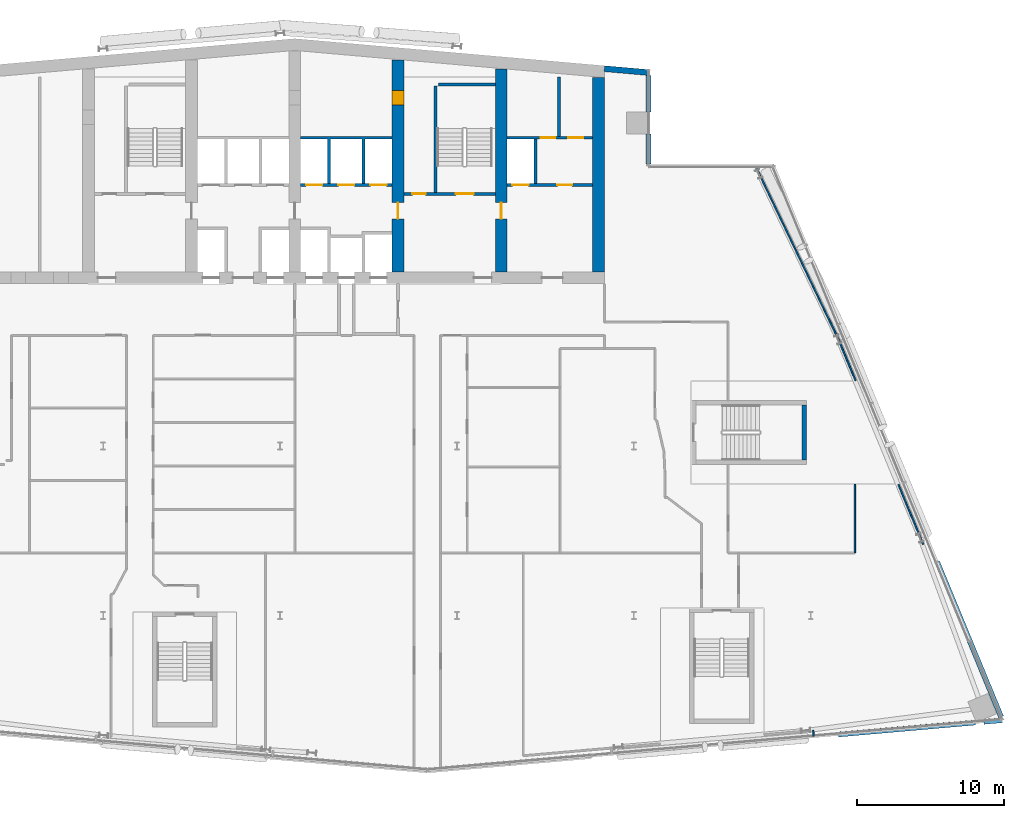
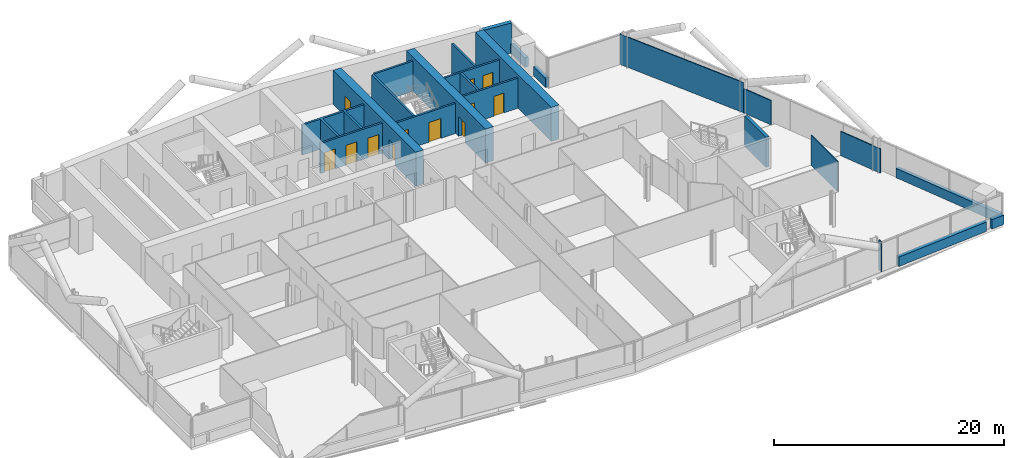
# One storey, part 19 of 26: 24 walls, 12 doors, 12 openings.
"""IFC4 building model written with IfcOpenShell, lengths in metres."""

from ifc_helpers import new_model, si_unit, direction, frame, frame_2d, origin, place, context, subcontext, project, spatial, polyline, rectangle, outline, extrude, material, layer, layer_set, type_object, element, fill, save


model = new_model("IFC4")

# Units and contexts
model_context = context("Model", 3, precision=1e-05, world=origin(), true_north=direction((0.0, 1.0)))
body_context = subcontext(model_context, "Body", "Model", "MODEL_VIEW")
ifc_project = project(units=[si_unit("LENGTHUNIT", "METRE"), si_unit("AREAUNIT", "SQUARE_METRE"), si_unit("VOLUMEUNIT", "CUBIC_METRE"), si_unit("PLANEANGLEUNIT", "RADIAN"), si_unit("MASSUNIT", "GRAM", prefix="KILO")], contexts=[model_context])

# Site, building, storey
site_placement = place(None, origin())
site = spatial("IfcSite", under=ifc_project, at=site_placement, CompositionType="ELEMENT")
building_placement = place(site_placement, origin())
building = spatial("IfcBuilding", under=site, at=building_placement, Name="Wharfspan Tower", CompositionType="ELEMENT")
storey_placement = place(building_placement, frame((0.0, 0.0, 169.899902)))
storey = spatial("IfcBuildingStorey", under=building, at=storey_placement, Name="L41", CompositionType="ELEMENT", Elevation=169.899902)

# Wall
ifc_material_1 = material(Name="Calcium silicate masonry", Category="masonry")
ifc_layer_1 = layer(ifc_material_1, 0.199951)
ifc_layer_set_1 = layer_set([ifc_layer_1], Name="Calcium silicate masonry")
wall_type_1 = type_object("IfcWallType", Name="Core room wall 200", PredefinedType="PARTITIONING", material=ifc_layer_set_1)
wall_1_placement = place(storey_placement, frame((54.93335, 44.0, 0.0), z_axis=(0.0, 0.0, 1.0), x_axis=(0.0, 1.0, 0.0)))
element("IfcWall", 1, at=wall_1_placement, inside=storey, type_object=wall_type_1, Name="sw:L41:RP6.1", PredefinedType="PARTITIONING", context=body_context, shape_type="SweptSolid", body=[
    extrude(rectangle(XDim=4.03418, YDim=0.199951, at=frame_2d((2.01709, 0.0))), origin(), (0.0, 0.0, 1.0), 3.200195),
])

# Wall, openings, doors
ifc_material_2 = material(Name="Concrete C60/75", Category="concrete")
ifc_layer_2 = layer(ifc_material_2, 0.800049)
ifc_layer_set_2 = layer_set([ifc_layer_2], Name="Concrete C60/75")
wall_type_2 = type_object("IfcWallType", Name="Core wall 800 C60/75", PredefinedType="SHEAR", material=ifc_layer_set_2)
wall_2_placement = place(storey_placement, frame((44.0, 34.800049, 0.0), z_axis=(0.0, 0.0, 1.0), x_axis=(0.0, 1.0, 0.0)))
wall_2 = element("IfcWall", 2, at=wall_2_placement, inside=storey, type_object=wall_type_2, Name="Core cross wall X5 L41", PredefinedType="SHEAR", context=body_context, shape_type="SweptSolid", body=[
    extrude(rectangle(XDim=14.374023, YDim=0.800049, at=frame_2d((7.187012, 0.0))), origin(), (0.0, 0.0, 1.0), 3.600098),
])
opening_1_placement = place(wall_2_placement, frame((11.312012, 0.0, 0.0)))
opening_1 = element("IfcOpeningElement", 3, at=opening_1_placement, cuts=wall_2, Name="Opening CD41.4X", PredefinedType="OPENING", context=body_context, shape_type="SweptSolid", body=[
    extrude(rectangle(XDim=1.0, YDim=2.100098, at=frame_2d((0.5, 1.050049))), frame((0.0, 0.409912, 0.0), z_axis=(0.0, -1.0, 0.0), x_axis=(1.0, 0.0, 0.0)), (0.0, 0.0, 1.0), 0.820068),
])
opening_2_placement = place(wall_2_placement, frame((3.600098, 0.0, 0.0)))
opening_2 = element("IfcOpeningElement", 4, at=opening_2_placement, cuts=wall_2, Name="Opening CC41.5", PredefinedType="OPENING", context=body_context, shape_type="SweptSolid", body=[
    extrude(rectangle(XDim=1.100098, YDim=2.100098, at=frame_2d((0.550049, 1.050049))), frame((0.0, 0.409912, 0.0), z_axis=(0.0, -1.0, 0.0), x_axis=(1.0, 0.0, 0.0)), (0.0, 0.0, 1.0), 0.820068),
])
ifc_material_3 = material(Name="Steel door leaf", Category="steel")
door_type_1 = type_object("IfcDoorType", Name="Core corridor door 1100x2100", OperationType="SINGLE_SWING_LEFT", PredefinedType="DOOR", material=ifc_material_3)
door_1_placement = place(opening_2_placement, origin())
door_1 = element("IfcDoor", 5, at=door_1_placement, inside=storey, type_object=door_type_1, Name="xd:L41:5", OperationType="SINGLE_SWING_LEFT", OverallHeight=2.100098, OverallWidth=1.100098, PredefinedType="DOOR", context=body_context, shape_type="SweptSolid", body=[
    extrude(rectangle(XDim=1.100098, YDim=2.100098, at=frame_2d((0.550049, 1.050049))), frame((0.0, 0.024902, 0.0), z_axis=(0.0, -1.0, 0.0), x_axis=(1.0, 0.0, 0.0)), (0.0, 0.0, 1.0), 0.050049),
])
fill(opening_2, door_1)
door_type_2 = type_object("IfcDoorType", Name="Core room door 1000x2100", OperationType="SINGLE_SWING_LEFT", PredefinedType="DOOR", material=ifc_material_3)
door_2_placement = place(opening_1_placement, origin())
door_2 = element("IfcDoor", 6, at=door_2_placement, inside=storey, type_object=door_type_2, Name="d:L41:4:sx", OperationType="SINGLE_SWING_LEFT", OverallHeight=2.100098, OverallWidth=1.0, PredefinedType="DOOR", context=body_context, shape_type="SweptSolid", body=[
    extrude(rectangle(XDim=1.0, YDim=2.100098, at=frame_2d((0.5, 1.050049))), frame((0.0, 0.399902, 0.0), z_axis=(0.0, -1.0, 0.0), x_axis=(1.0, 0.0, 0.0)), (0.0, 0.0, 1.0), 0.799561),
])
fill(opening_1, door_2)

# Wall, opening, door
wall_3_placement = place(storey_placement, frame((51.0, 34.800049, 0.0), z_axis=(0.0, 0.0, 1.0), x_axis=(0.0, 1.0, 0.0)))
wall_3 = element("IfcWall", 7, at=wall_3_placement, inside=storey, type_object=wall_type_2, Name="Core cross wall X6 L41", PredefinedType="SHEAR", context=body_context, shape_type="SweptSolid", body=[
    extrude(rectangle(XDim=13.761719, YDim=0.800049, at=frame_2d((6.880859, 0.0))), origin(), (0.0, 0.0, 1.0), 3.600098),
])
opening_3_placement = place(wall_3_placement, frame((3.600098, 0.0, 0.0)))
opening_3 = element("IfcOpeningElement", 8, at=opening_3_placement, cuts=wall_3, Name="Opening CC41.6", PredefinedType="OPENING", context=body_context, shape_type="SweptSolid", body=[
    extrude(rectangle(XDim=1.100098, YDim=2.100098, at=frame_2d((0.550049, 1.050049))), frame((0.0, 0.409912, 0.0), z_axis=(0.0, -1.0, 0.0), x_axis=(1.0, 0.0, 0.0)), (0.0, 0.0, 1.0), 0.820068),
])
door_3_placement = place(opening_3_placement, origin())
door_3 = element("IfcDoor", 9, at=door_3_placement, inside=storey, type_object=door_type_1, Name="xd:L41:6", OperationType="SINGLE_SWING_RIGHT", OverallHeight=2.100098, OverallWidth=1.100098, PredefinedType="DOOR", context=body_context, shape_type="SweptSolid", body=[
    extrude(rectangle(XDim=1.100098, YDim=2.100098, at=frame_2d((0.550049, 1.050049))), frame((0.0, 0.024902, 0.0), z_axis=(0.0, -1.0, 0.0), x_axis=(1.0, 0.0, 0.0)), (0.0, 0.0, 1.0), 0.050049),
])
fill(opening_3, door_3)

# Wall
wall_4_placement = place(storey_placement, frame((57.600098, 34.800049, 0.0), z_axis=(0.0, 0.0, 1.0), x_axis=(0.0, 1.0, 0.0)))
element("IfcWall", 10, at=wall_4_placement, inside=storey, type_object=wall_type_2, Name="Core cross wall EW1 L41", PredefinedType="SHEAR", context=body_context, shape_type="SweptSolid", body=[
    extrude(rectangle(XDim=13.184326, YDim=0.800049, at=frame_2d((6.592285, 0.0))), origin(), (0.0, 0.0, 1.0), 3.600098),
])

# Wall, openings, doors
ifc_material_4 = material(Name="Concrete C30/37", Category="concrete")
ifc_layer_3 = layer(ifc_material_4, 0.199951)
ifc_layer_set_3 = layer_set([ifc_layer_3], Name="Concrete C30/37")
wall_type_3 = type_object("IfcWallType", Name="Lift shaft wall 200", PredefinedType="PARTITIONING", material=ifc_layer_set_3)
wall_5_placement = place(storey_placement, frame((37.399902, 40.699951, 0.0), z_axis=(0.0, 0.0, 1.0), x_axis=(1.0, 0.0, 0.0)))
wall_5 = element("IfcWall", 11, at=wall_5_placement, inside=storey, type_object=wall_type_3, Name="sw:L41:RF4", PredefinedType="PARTITIONING", context=body_context, shape_type="SweptSolid", body=[
    extrude(rectangle(XDim=6.200195, YDim=0.199951, at=frame_2d((3.100098, 0.0))), origin(), (0.0, 0.0, 1.0), 3.200195),
])
opening_4_placement = place(wall_5_placement, frame((0.366699, 0.0, 0.0)))
opening_4 = element("IfcOpeningElement", 12, at=opening_4_placement, cuts=wall_5, Name="Opening LD.LB4.L41", PredefinedType="OPENING", context=body_context, shape_type="SweptSolid", body=[
    extrude(rectangle(XDim=1.100098, YDim=2.100098, at=frame_2d((0.550049, 1.050049))), frame((0.0, 0.109863, 0.0), z_axis=(0.0, -1.0, 0.0), x_axis=(1.0, 0.0, 0.0)), (0.0, 0.0, 1.0), 0.219971),
])
opening_5_placement = place(wall_5_placement, frame((2.550049, 0.0, 0.0)))
opening_5 = element("IfcOpeningElement", 13, at=opening_5_placement, cuts=wall_5, Name="Opening LD.LB5.L41", PredefinedType="OPENING", context=body_context, shape_type="SweptSolid", body=[
    extrude(rectangle(XDim=1.100098, YDim=2.100098, at=frame_2d((0.550049, 1.050049))), frame((0.0, 0.109863, 0.0), z_axis=(0.0, -1.0, 0.0), x_axis=(1.0, 0.0, 0.0)), (0.0, 0.0, 1.0), 0.219971),
])
opening_6_placement = place(wall_5_placement, frame((4.733398, 0.0, 0.0)))
opening_6 = element("IfcOpeningElement", 14, at=opening_6_placement, cuts=wall_5, Name="Opening LD.LB6.L41", PredefinedType="OPENING", context=body_context, shape_type="SweptSolid", body=[
    extrude(rectangle(XDim=1.100098, YDim=2.100098, at=frame_2d((0.550049, 1.050049))), frame((0.0, 0.109863, 0.0), z_axis=(0.0, -1.0, 0.0), x_axis=(1.0, 0.0, 0.0)), (0.0, 0.0, 1.0), 0.219971),
])
ifc_material_5 = material(Name="Stainless steel", Category="steel")
door_type_3 = type_object("IfcDoorType", Name="Lift landing door 1100x2100", OperationType="DOUBLE_DOOR_SLIDING", PredefinedType="DOOR", material=ifc_material_5)
door_4_placement = place(opening_4_placement, origin())
door_4 = element("IfcDoor", 15, at=door_4_placement, inside=storey, type_object=door_type_3, Name="Landing door LB4 L41", OperationType="DOUBLE_DOOR_SLIDING", OverallHeight=2.100098, OverallWidth=1.100098, PredefinedType="DOOR", context=body_context, shape_type="SweptSolid", body=[
    extrude(rectangle(XDim=1.100098, YDim=2.100098, at=frame_2d((0.550049, 1.050049))), frame((0.0, 0.024902, 0.0), z_axis=(0.0, -1.0, 0.0), x_axis=(1.0, 0.0, 0.0)), (0.0, 0.0, 1.0), 0.050049),
])
fill(opening_4, door_4)
door_5_placement = place(opening_5_placement, origin())
door_5 = element("IfcDoor", 16, at=door_5_placement, inside=storey, type_object=door_type_3, Name="Landing door LB5 L41", OperationType="DOUBLE_DOOR_SLIDING", OverallHeight=2.100098, OverallWidth=1.100098, PredefinedType="DOOR", context=body_context, shape_type="SweptSolid", body=[
    extrude(rectangle(XDim=1.100098, YDim=2.100098, at=frame_2d((0.550049, 1.050049))), frame((0.0, 0.024902, 0.0), z_axis=(0.0, -1.0, 0.0), x_axis=(1.0, 0.0, 0.0)), (0.0, 0.0, 1.0), 0.050049),
])
fill(opening_5, door_5)
door_6_placement = place(opening_6_placement, origin())
door_6 = element("IfcDoor", 17, at=door_6_placement, inside=storey, type_object=door_type_3, Name="Landing door LB6 L41", OperationType="DOUBLE_DOOR_SLIDING", OverallHeight=2.100098, OverallWidth=1.100098, PredefinedType="DOOR", context=body_context, shape_type="SweptSolid", body=[
    extrude(rectangle(XDim=1.100098, YDim=2.100098, at=frame_2d((0.550049, 1.050049))), frame((0.0, 0.024902, 0.0), z_axis=(0.0, -1.0, 0.0), x_axis=(1.0, 0.0, 0.0)), (0.0, 0.0, 1.0), 0.050049),
])
fill(opening_6, door_6)

# Wall
wall_6_placement = place(storey_placement, origin())
element("IfcWall", 18, at=wall_6_placement, inside=storey, type_object=wall_type_3, Name="sw:L41:RM4.0", PredefinedType="PARTITIONING", context=body_context, shape_type="SweptSolid", body=[
    extrude(outline(polyline([(39.43335, 40.800049), (39.233398, 40.800049), (39.233398, 43.800049), (37.399902, 43.800049), (37.399902, 44.0), (43.600098, 44.0), (43.600098, 43.800049), (41.766602, 43.800049), (41.766602, 40.800049), (41.56665, 40.800049), (41.56665, 43.800049), (39.43335, 43.800049), (39.43335, 40.800049)])), origin(), (0.0, 0.0, 1.0), 3.200195),
])

# Wall, openings, doors
wall_7_placement = place(storey_placement, frame((51.399902, 40.699951, 0.0), z_axis=(0.0, 0.0, 1.0), x_axis=(1.0, 0.0, 0.0)))
wall_7 = element("IfcWall", 19, at=wall_7_placement, inside=storey, type_object=wall_type_3, Name="sw:L41:RF6", PredefinedType="PARTITIONING", context=body_context, shape_type="SweptSolid", body=[
    extrude(rectangle(XDim=5.800049, YDim=0.199951, at=frame_2d((2.899902, 0.0))), origin(), (0.0, 0.0, 1.0), 3.200195),
])
opening_7_placement = place(wall_7_placement, frame((0.366699, 0.0, 0.0)))
opening_7 = element("IfcOpeningElement", 20, at=opening_7_placement, cuts=wall_7, Name="Opening LD.LB8.L41", PredefinedType="OPENING", context=body_context, shape_type="SweptSolid", body=[
    extrude(rectangle(XDim=1.100098, YDim=2.100098, at=frame_2d((0.550049, 1.050049))), frame((0.0, 0.109863, 0.0), z_axis=(0.0, -1.0, 0.0), x_axis=(1.0, 0.0, 0.0)), (0.0, 0.0, 1.0), 0.219971),
])
opening_8_placement = place(wall_7_placement, frame((3.416748, 0.0, 0.0)))
opening_8 = element("IfcOpeningElement", 21, at=opening_8_placement, cuts=wall_7, Name="Opening CD41.6R2", PredefinedType="OPENING", context=body_context, shape_type="SweptSolid", body=[
    extrude(rectangle(XDim=1.0, YDim=2.100098, at=frame_2d((0.5, 1.050049))), frame((0.0, 0.109863, 0.0), z_axis=(0.0, -1.0, 0.0), x_axis=(1.0, 0.0, 0.0)), (0.0, 0.0, 1.0), 0.219971),
])
door_7_placement = place(opening_8_placement, origin())
door_7 = element("IfcDoor", 22, at=door_7_placement, inside=storey, type_object=door_type_2, Name="d:L41:6:rd6.2", OperationType="SINGLE_SWING_RIGHT", OverallHeight=2.100098, OverallWidth=1.0, PredefinedType="DOOR", context=body_context, shape_type="SweptSolid", body=[
    extrude(rectangle(XDim=1.0, YDim=2.100098, at=frame_2d((0.5, 1.050049))), frame((0.0, 0.024902, 0.0), z_axis=(0.0, -1.0, 0.0), x_axis=(1.0, 0.0, 0.0)), (0.0, 0.0, 1.0), 0.050049),
])
fill(opening_8, door_7)
door_8_placement = place(opening_7_placement, origin())
door_8 = element("IfcDoor", 23, at=door_8_placement, inside=storey, type_object=door_type_3, Name="Landing door LB8 L41", OperationType="DOUBLE_DOOR_SLIDING", OverallHeight=2.100098, OverallWidth=1.100098, PredefinedType="DOOR", context=body_context, shape_type="SweptSolid", body=[
    extrude(rectangle(XDim=1.100098, YDim=2.100098, at=frame_2d((0.550049, 1.050049))), frame((0.0, 0.024902, 0.0), z_axis=(0.0, -1.0, 0.0), x_axis=(1.0, 0.0, 0.0)), (0.0, 0.0, 1.0), 0.050049),
])
fill(opening_7, door_8)

wall_8_placement = place(storey_placement, frame((51.399902, 43.899902, 0.0), z_axis=(0.0, 0.0, 1.0), x_axis=(1.0, 0.0, 0.0)))
wall_8 = element("IfcWall", 24, at=wall_8_placement, inside=storey, type_object=wall_type_3, Name="sw:L41:RR6", PredefinedType="PARTITIONING", context=body_context, shape_type="SweptSolid", body=[
    extrude(rectangle(XDim=5.800049, YDim=0.199951, at=frame_2d((2.899902, 0.0))), origin(), (0.0, 0.0, 1.0), 3.200195),
])
opening_9_placement = place(wall_8_placement, frame((2.283203, 0.0, 0.0)))
opening_9 = element("IfcOpeningElement", 25, at=opening_9_placement, cuts=wall_8, Name="Opening CD41.6S2", PredefinedType="OPENING", context=body_context, shape_type="SweptSolid", body=[
    extrude(rectangle(XDim=1.0, YDim=2.100098, at=frame_2d((0.5, 1.050049))), frame((0.0, 0.109863, 0.0), z_axis=(0.0, -1.0, 0.0), x_axis=(1.0, 0.0, 0.0)), (0.0, 0.0, 1.0), 0.219971),
])
opening_10_placement = place(wall_8_placement, frame((4.166748, 0.0, 0.0)))
opening_10 = element("IfcOpeningElement", 26, at=opening_10_placement, cuts=wall_8, Name="Opening CD41.6S2a", PredefinedType="OPENING", context=body_context, shape_type="SweptSolid", body=[
    extrude(rectangle(XDim=1.0, YDim=2.100098, at=frame_2d((0.5, 1.050049))), frame((0.0, 0.109863, 0.0), z_axis=(0.0, -1.0, 0.0), x_axis=(1.0, 0.0, 0.0)), (0.0, 0.0, 1.0), 0.219971),
])
door_9_placement = place(opening_9_placement, origin())
door_9 = element("IfcDoor", 27, at=door_9_placement, inside=storey, type_object=door_type_2, Name="d:L41:6:rs6.2", OperationType="SINGLE_SWING_LEFT", OverallHeight=2.100098, OverallWidth=1.0, PredefinedType="DOOR", context=body_context, shape_type="SweptSolid", body=[
    extrude(rectangle(XDim=1.0, YDim=2.100098, at=frame_2d((0.5, 1.050049))), frame((0.0, 0.024902, 0.0), z_axis=(0.0, -1.0, 0.0), x_axis=(1.0, 0.0, 0.0)), (0.0, 0.0, 1.0), 0.050049),
])
fill(opening_9, door_9)
door_10_placement = place(opening_10_placement, origin())
door_10 = element("IfcDoor", 28, at=door_10_placement, inside=storey, type_object=door_type_2, Name="d:L41:6:rs6.2a", OperationType="SINGLE_SWING_LEFT", OverallHeight=2.100098, OverallWidth=1.0, PredefinedType="DOOR", context=body_context, shape_type="SweptSolid", body=[
    extrude(rectangle(XDim=1.0, YDim=2.100098, at=frame_2d((0.5, 1.050049))), frame((0.0, 0.024902, 0.0), z_axis=(0.0, -1.0, 0.0), x_axis=(1.0, 0.0, 0.0)), (0.0, 0.0, 1.0), 0.050049),
])
fill(opening_10, door_10)

# Walls
wall_9_placement = place(storey_placement, origin())
element("IfcWall", 29, at=wall_9_placement, inside=storey, type_object=wall_type_3, Name="sw:L41:RM6.0", PredefinedType="PARTITIONING", context=body_context, shape_type="SweptSolid", body=[
    extrude(outline(polyline([(53.43335, 40.800049), (53.43335, 43.800049), (53.233398, 43.800049), (53.233398, 40.800049), (53.43335, 40.800049)])), origin(), (0.0, 0.0, 1.0), 3.200195),
])
ifc_material_6 = material(Name="Gypsum board on steel studs", Category="steel")
ifc_layer_4 = layer(ifc_material_6, 0.100098)
ifc_layer_set_4 = layer_set([ifc_layer_4], Name="Gypsum board on steel studs")
wall_type_4 = type_object("IfcWallType", Name="Partition 100", PredefinedType="PARTITIONING", material=ifc_layer_set_4)
wall_10_placement = place(storey_placement, frame((72.198242, 3.300049, 0.0), z_axis=(0.0, 0.0, 1.0), x_axis=(-0.083759, 0.996486, 0.0)))
element("IfcWall", 30, at=wall_10_placement, inside=storey, type_object=wall_type_4, Name="Partition L41.w062", PredefinedType="PARTITIONING", context=body_context, shape_type="SweptSolid", body=[
    extrude(rectangle(XDim=0.396484, YDim=0.100098, at=frame_2d((0.198242, 0.0))), origin(), (0.0, 0.0, 1.0), 3.200195),
])
wall_11_placement = place(storey_placement, frame((73.88501, 30.22998, 0.0), z_axis=(0.0, 0.0, 1.0), x_axis=(-0.432129, 0.901808, 0.0)))
element("IfcWall", 31, at=wall_11_placement, inside=storey, type_object=wall_type_4, Name="Partition L41.w063", PredefinedType="PARTITIONING", context=body_context, shape_type="SweptSolid", body=[
    extrude(rectangle(XDim=13.029297, YDim=0.100098, at=frame_2d((6.514648, 0.0))), origin(), (0.0, 0.0, 1.0), 3.200195),
])
wall_12_placement = place(storey_placement, frame((75.0, 15.745117, 0.0), z_axis=(0.0, 0.0, 1.0), x_axis=(0.0, 1.0, 0.0)))
element("IfcWall", 32, at=wall_12_placement, inside=storey, type_object=wall_type_4, Name="Partition L41.w064", PredefinedType="PARTITIONING", context=body_context, shape_type="SweptSolid", body=[
    extrude(rectangle(XDim=4.634766, YDim=0.100098, at=frame_2d((2.317383, 0.0))), origin(), (0.0, 0.0, 1.0), 3.200195),
])
wall_13_placement = place(storey_placement, frame((75.046631, 27.419922, 0.0), z_axis=(0.0, 0.0, 1.0), x_axis=(-0.382024, 0.924148, 0.0)))
element("IfcWall", 33, at=wall_13_placement, inside=storey, type_object=wall_type_4, Name="Partition L41.w065", PredefinedType="PARTITIONING", context=body_context, shape_type="SweptSolid", body=[
    extrude(rectangle(XDim=3.040771, YDim=0.100098, at=frame_2d((1.520508, 0.0))), origin(), (0.0, 0.0, 1.0), 2.580078),
])
wall_14_placement = place(storey_placement, frame((79.629883, 16.310059, 0.0), z_axis=(0.0, 0.0, 1.0), x_axis=(-0.380933, 0.9246, 0.0)))
element("IfcWall", 34, at=wall_14_placement, inside=storey, type_object=wall_type_4, Name="Partition L41.w066", PredefinedType="PARTITIONING", context=body_context, shape_type="SweptSolid", body=[
    extrude(rectangle(XDim=4.401611, YDim=0.100098, at=frame_2d((2.200684, 0.0))), origin(), (0.0, 0.0, 1.0), 2.580078),
])
ifc_material_7 = material(Name="Concrete C40/50", Category="concrete")
ifc_layer_5 = layer(ifc_material_7, 0.350098)
ifc_layer_set_5 = layer_set([ifc_layer_5], Name="Concrete C40/50")
wall_type_5 = type_object("IfcWallType", Name="SPANDREL EXPOSED CONCRETE 350", PredefinedType="SOLIDWALL", material=ifc_layer_set_5)
wall_15_placement = place(storey_placement, frame((73.887451, 3.422852, 0.0), z_axis=(0.0, 0.0, 1.0), x_axis=(0.996197, 0.087145, 0.0)))
element("IfcWall", 35, at=wall_15_placement, inside=storey, type_object=wall_type_5, Name="Spandrel upstand L41 S2 2", PredefinedType="SOLIDWALL", context=body_context, shape_type="SweptSolid", body=[
    extrude(rectangle(XDim=9.323486, YDim=0.350098, at=frame_2d((4.661621, 0.0))), origin(), (0.0, 0.0, 1.0), 1.0),
])
wall_16_placement = place(storey_placement, frame((83.744629, 4.285156, 0.0), z_axis=(0.0, 0.0, 1.0), x_axis=(0.996198, 0.087148, 0.0)))
element("IfcWall", 36, at=wall_16_placement, inside=storey, type_object=wall_type_5, Name="Spandrel upstand L41 S2 3", PredefinedType="SOLIDWALL", context=body_context, shape_type="SweptSolid", body=[
    extrude(rectangle(XDim=1.260742, YDim=0.350098, at=frame_2d((0.630371, 0.0))), origin(), (0.0, 0.0, 1.0), 1.0),
])
wall_17_placement = place(storey_placement, frame((84.91626, 4.615967, 0.0), z_axis=(0.0, 0.0, 1.0), x_axis=(-0.381598, 0.924328, 0.0)))
element("IfcWall", 37, at=wall_17_placement, inside=storey, type_object=wall_type_5, Name="Spandrel upstand L41 E", PredefinedType="SOLIDWALL", context=body_context, shape_type="SweptSolid", body=[
    extrude(rectangle(XDim=11.360596, YDim=0.350098, at=frame_2d((5.680176, 0.0))), origin(), (0.0, 0.0, 1.0), 1.0),
])
wall_18_placement = place(storey_placement, frame((61.004883, 42.120117, 0.0), z_axis=(0.0, 0.0, 1.0), x_axis=(0.0, 1.0, 0.0)))
element("IfcWall", 38, at=wall_18_placement, inside=storey, type_object=wall_type_5, Name="Spandrel upstand L41 NRE-V", PredefinedType="SOLIDWALL", context=body_context, shape_type="SweptSolid", body=[
    extrude(rectangle(XDim=2.029785, YDim=0.350098, at=frame_2d((1.014893, 0.0))), origin(), (0.0, 0.0, 1.0), 1.0),
])
wall_19_placement = place(storey_placement, frame((61.004883, 45.649902, 0.0), z_axis=(0.0, 0.0, 1.0), x_axis=(0.0, 1.0, 0.0)))
element("IfcWall", 39, at=wall_19_placement, inside=storey, type_object=wall_type_5, Name="Spandrel upstand L41 NRE-V 2", PredefinedType="SOLIDWALL", context=body_context, shape_type="SweptSolid", body=[
    extrude(rectangle(XDim=2.476562, YDim=0.350098, at=frame_2d((1.238281, 0.0))), origin(), (0.0, 0.0, 1.0), 1.0),
])
ifc_layer_6 = layer(ifc_material_7, 0.300049)
ifc_layer_set_6 = layer_set([ifc_layer_6], Name="Concrete C40/50")
wall_type_6 = type_object("IfcWallType", Name="Stair core wall 300", PredefinedType="SHEAR", material=ifc_layer_set_6)
wall_20_placement = place(storey_placement, frame((71.554688, 22.024902, 0.0), z_axis=(0.0, 0.0, 1.0), x_axis=(0.0, 1.0, 0.0)))
element("IfcWall", 40, at=wall_20_placement, inside=storey, type_object=wall_type_6, Name="ST6 stair enclosure wall L41", PredefinedType="SHEAR", context=body_context, shape_type="SweptSolid", body=[
    extrude(rectangle(XDim=3.75, YDim=0.300049, at=frame_2d((1.875, 0.0))), origin(), (0.0, 0.0, 1.0), 3.200195),
])

# Wall, openings, doors
ifc_layer_7 = layer(ifc_material_7, 0.199951)
ifc_layer_set_7 = layer_set([ifc_layer_7], Name="Concrete C40/50")
wall_type_7 = type_object("IfcWallType", Name="Stair shaft wall 200", PredefinedType="SHEAR", material=ifc_layer_set_7)
wall_21_placement = place(storey_placement, frame((44.399902, 40.100098, 0.0), z_axis=(0.0, 0.0, 1.0), x_axis=(1.0, 0.0, 0.0)))
wall_21 = element("IfcWall", 41, at=wall_21_placement, inside=storey, type_object=wall_type_7, Name="ST2 stair enclosure wall L41", PredefinedType="SHEAR", context=body_context, shape_type="SweptSolid", body=[
    extrude(rectangle(XDim=6.200195, YDim=0.199951, at=frame_2d((3.100098, 0.0))), origin(), (0.0, 0.0, 1.0), 3.200195),
])
opening_11_placement = place(wall_21_placement, frame((3.524902, 0.0, 0.0)))
opening_11 = element("IfcOpeningElement", 42, at=opening_11_placement, cuts=wall_21, Name="Opening SD5.L41", PredefinedType="OPENING", context=body_context, shape_type="SweptSolid", body=[
    extrude(rectangle(XDim=1.199951, YDim=2.100098, at=frame_2d((0.600098, 1.050049))), frame((0.0, 0.109863, 0.0), z_axis=(0.0, -1.0, 0.0), x_axis=(1.0, 0.0, 0.0)), (0.0, 0.0, 1.0), 0.219971),
])
opening_12_placement = place(wall_21_placement, frame((0.574951, 0.0, 0.0)))
opening_12 = element("IfcOpeningElement", 43, at=opening_12_placement, cuts=wall_21, Name="Opening CD41.5R", PredefinedType="OPENING", context=body_context, shape_type="SweptSolid", body=[
    extrude(rectangle(XDim=0.899902, YDim=2.100098, at=frame_2d((0.449951, 1.050049))), frame((0.0, 0.109863, 0.0), z_axis=(0.0, -1.0, 0.0), x_axis=(1.0, 0.0, 0.0)), (0.0, 0.0, 1.0), 0.219971),
])
door_11_placement = place(opening_12_placement, origin())
door_11 = element("IfcDoor", 44, at=door_11_placement, inside=storey, type_object=door_type_2, Name="rk:L41:5", OperationType="SINGLE_SWING_LEFT", OverallHeight=2.100098, OverallWidth=0.899902, PredefinedType="DOOR", context=body_context, shape_type="SweptSolid", body=[
    extrude(rectangle(XDim=0.899902, YDim=2.100098, at=frame_2d((0.449951, 1.050049))), frame((0.0, 0.024902, 0.0), z_axis=(0.0, -1.0, 0.0), x_axis=(1.0, 0.0, 0.0)), (0.0, 0.0, 1.0), 0.050049),
])
fill(opening_12, door_11)
door_type_4 = type_object("IfcDoorType", Name="Stair door 1200x2100", OperationType="SINGLE_SWING_LEFT", PredefinedType="DOOR", material=ifc_material_3)
door_12_placement = place(opening_11_placement, origin())
door_12 = element("IfcDoor", 45, at=door_12_placement, inside=storey, type_object=door_type_4, Name="sd:L41:5", OperationType="SINGLE_SWING_RIGHT", OverallHeight=2.100098, OverallWidth=1.199951, PredefinedType="DOOR", context=body_context, shape_type="SweptSolid", body=[
    extrude(rectangle(XDim=1.199951, YDim=2.100098, at=frame_2d((0.600098, 1.050049))), frame((0.0, 0.024902, 0.0), z_axis=(0.0, -1.0, 0.0), x_axis=(1.0, 0.0, 0.0)), (0.0, 0.0, 1.0), 0.050049),
])
fill(opening_11, door_12)

# Walls
wall_22_placement = place(storey_placement, frame((46.550049, 40.199951, 0.0), z_axis=(0.0, 0.0, 1.0), x_axis=(0.0, 1.0, 0.0)))
element("IfcWall", 46, at=wall_22_placement, inside=storey, type_object=wall_type_7, Name="ST2 stair enclosure wall L41", PredefinedType="SHEAR", context=body_context, shape_type="SweptSolid", body=[
    extrude(rectangle(XDim=7.199951, YDim=0.199951, at=frame_2d((3.600098, 0.0))), origin(), (0.0, 0.0, 1.0), 3.200195),
])
wall_23_placement = place(storey_placement, frame((46.75, 47.5, 0.0), z_axis=(0.0, 0.0, 1.0), x_axis=(1.0, 0.0, 0.0)))
element("IfcWall", 47, at=wall_23_placement, inside=storey, type_object=wall_type_7, Name="ST2 stair enclosure wall L41", PredefinedType="SHEAR", context=body_context, shape_type="SweptSolid", body=[
    extrude(rectangle(XDim=3.850098, YDim=0.199951, at=frame_2d((1.925049, 0.0))), origin(), (0.0, 0.0, 1.0), 3.200195),
])
ifc_layer_8 = layer(ifc_material_7, 0.399902)
ifc_layer_set_8 = layer_set([ifc_layer_8], Name="Concrete C40/50")
wall_type_8 = type_object("IfcWallType", Name="WALL EXPOSED CONCRETE 400", PredefinedType="SOLIDWALL", material=ifc_layer_set_8)
wall_24_placement = place(storey_placement, frame((60.982666, 48.325684, 0.0), z_axis=(0.0, 0.0, 1.0), x_axis=(-0.996194, 0.087168, 0.0)))
element("IfcWall", 48, at=wall_24_placement, inside=storey, type_object=wall_type_8, Name="Rear wall N2", PredefinedType="SOLIDWALL", context=body_context, shape_type="SweptSolid", body=[
    extrude(rectangle(XDim=2.994141, YDim=0.399902, at=frame_2d((1.49707, 0.0))), origin(), (0.0, 0.0, 1.0), 3.200195),
])

save(model, "model.ifc")
